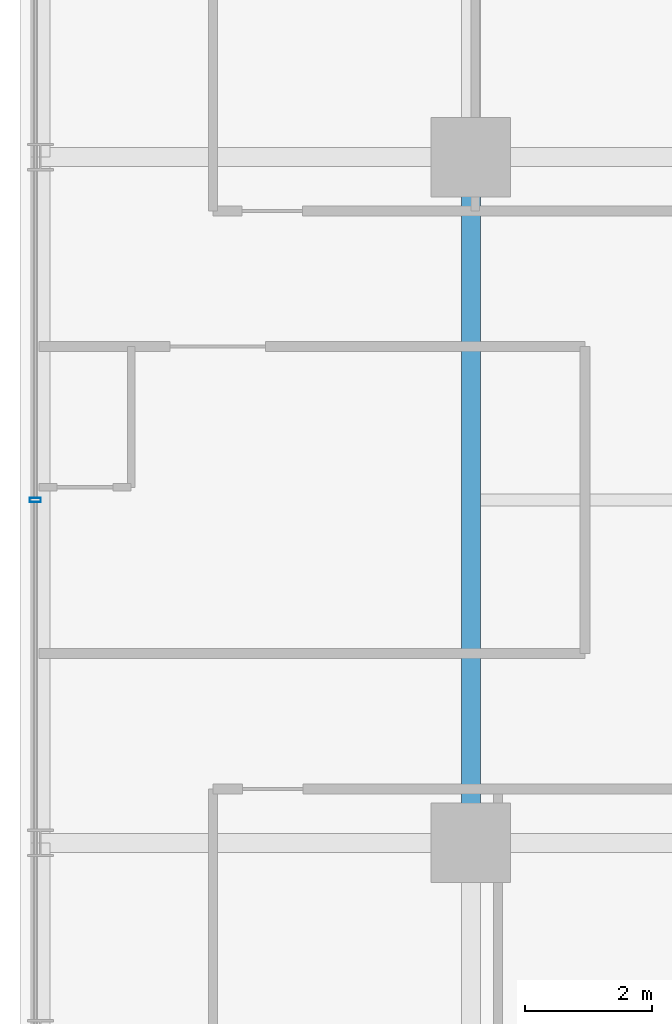
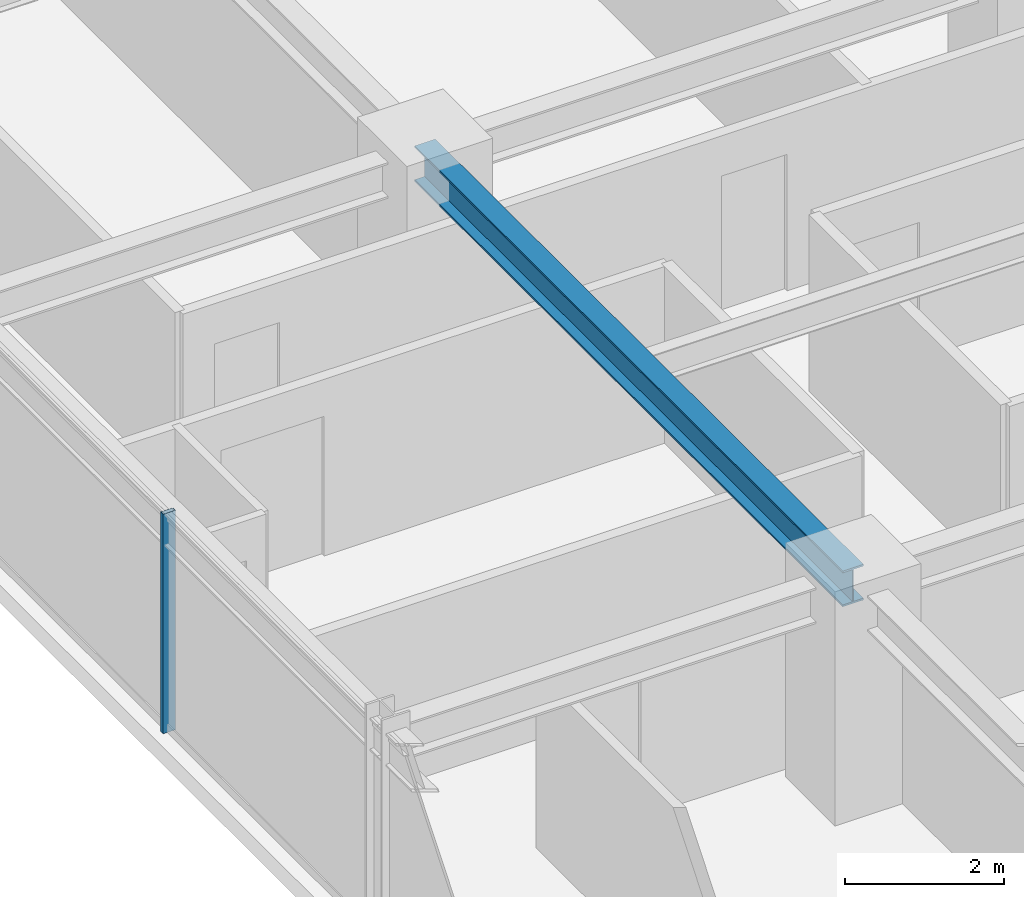
# One storey, part 8 of 34: 1 beam, 1 member, 1 element without a shape of its own.
"""IFC4 building model written with IfcOpenShell, lengths in metres."""

from ifc_helpers import new_model, si_unit, direction, frame, origin, origin_2d, place, context, subcontext, project, spatial, hollow_rectangle, i_section, extrude, source, transform, mapped, material, material_profile, profile_set, type_object, element, aggregate, save


model = new_model("IFC4")

# Units and contexts
model_context = context("Model", 3, precision=1e-05, world=origin(), true_north=direction((0.0, 1.0)))
body_context = subcontext(model_context, "Body", "Model", "MODEL_VIEW")
ifc_project = project(units=[si_unit("LENGTHUNIT", "METRE"), si_unit("AREAUNIT", "SQUARE_METRE"), si_unit("VOLUMEUNIT", "CUBIC_METRE"), si_unit("PLANEANGLEUNIT", "RADIAN"), si_unit("MASSUNIT", "GRAM", prefix="KILO")], contexts=[model_context])

# Site, building, storey
site_placement = place(None, origin())
site = spatial("IfcSite", under=ifc_project, at=site_placement, CompositionType="ELEMENT")
building_placement = place(site_placement, origin())
building = spatial("IfcBuilding", under=site, at=building_placement, Name="Nahalor Promenade Grand Hotel", CompositionType="ELEMENT")
storey_placement = place(building_placement, frame((0.0, 0.0, 99.25)))
storey = spatial("IfcBuildingStorey", under=building, at=storey_placement, Name="L24", CompositionType="ELEMENT", Elevation=99.25)

# Beam
ifc_material_1 = material(Name="Steel S355JR", Category="steel")
ifc_material_profile_1 = material_profile(ifc_material_1, i_section(OverallWidth=0.3, OverallDepth=0.55, WebThickness=0.015, FlangeThickness=0.029, at=origin_2d()), Name="HEB 550")
ifc_profile_set_1 = profile_set([ifc_material_profile_1], Name="Steel S355JR")
beam_type = type_object("IfcBeamType", Name="Beam-Girder-HEB550", PredefinedType="BEAM", material=ifc_profile_set_1)
shared_shape_1 = source(origin(), body_context, "Body", "SweptSolid", [
    extrude(i_section(OverallWidth=0.3, OverallDepth=0.55, WebThickness=0.015, FlangeThickness=0.029, at=origin_2d()), origin(), (0.0, 0.0, 1.0), 10.7998046875),
])
beam_placement = place(storey_placement, frame((-17.0, -5.39990234375, 3.10498046875), z_axis=(0.0, 1.0, 0.0), x_axis=(-1.0, 0.0, 0.0)))
element("IfcBeam", 1, at=beam_placement, inside=storey, type_object=beam_type, Name="BM-L24-GY-0-2", PredefinedType="BEAM", context=body_context, shape_type="MappedRepresentation", body=[
    mapped(shared_shape_1, transform((0.0, 0.0, 0.0), scale=1.0)),
])

# Curtain wall, member
ifc_material_2 = material(Name="Anodised Bronze Aluminium EN AW-6063 T6", Category="aluminium")
curtain_wall_type = type_object("IfcCurtainWallType", Name="CW2 Typical Hotel Flush Bronze Unitised Curtain Wall", PredefinedType="USERDEFINED", material=ifc_material_2)
curtain_wall_placement = place(storey_placement, origin())
curtain_wall = element("IfcCurtainWall", 2, at=curtain_wall_placement, inside=storey, type_object=curtain_wall_type, Name="L24 Curtain Wall CW-L24-W-1", ObjectType="UNITISED_CURTAIN_WALL", PredefinedType="USERDEFINED")
ifc_material_profile_2 = material_profile(ifc_material_2, hollow_rectangle(XDim=0.065, YDim=0.18, WallThickness=0.004, at=origin_2d()), Name="CWM 65x180x4")
ifc_profile_set_2 = profile_set([ifc_material_profile_2], Name="Anodised Bronze Aluminium EN AW-6063 T6")
member_type = type_object("IfcMemberType", Name="CWM2 Typical Bronze Mullion 65x180", PredefinedType="MULLION", material=ifc_profile_set_2)
shared_shape_2 = source(origin(), body_context, "Body", "SweptSolid", [
    extrude(hollow_rectangle(XDim=0.065, YDim=0.18, WallThickness=0.004, at=origin_2d()), origin(), (0.0, 0.0, 1.0), 3.3798828125),
])
member_placement = place(storey_placement, frame((-23.860107421875, 0.0, 0.0), z_axis=(0.0, 0.0, 1.0), x_axis=(0.0, 1.0, 0.0)))
member = element("IfcMember", 3, at=member_placement, type_object=member_type, Name="CW-L24-W-1 Mullion 2", PredefinedType="MULLION", context=body_context, shape_type="MappedRepresentation", body=[
    mapped(shared_shape_2, transform((0.0, 0.0, 0.0), scale=1.0)),
])
aggregate(curtain_wall, [member])

save(model, "model.ifc")
